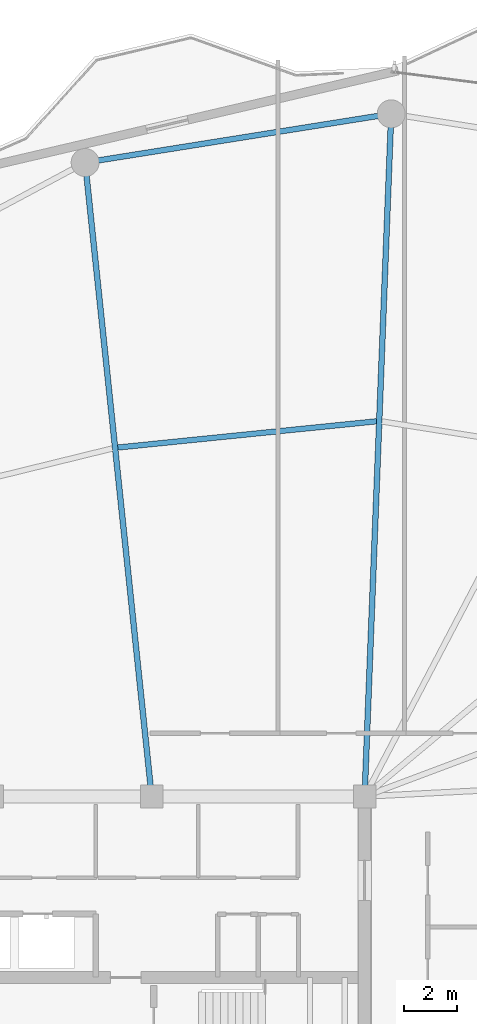
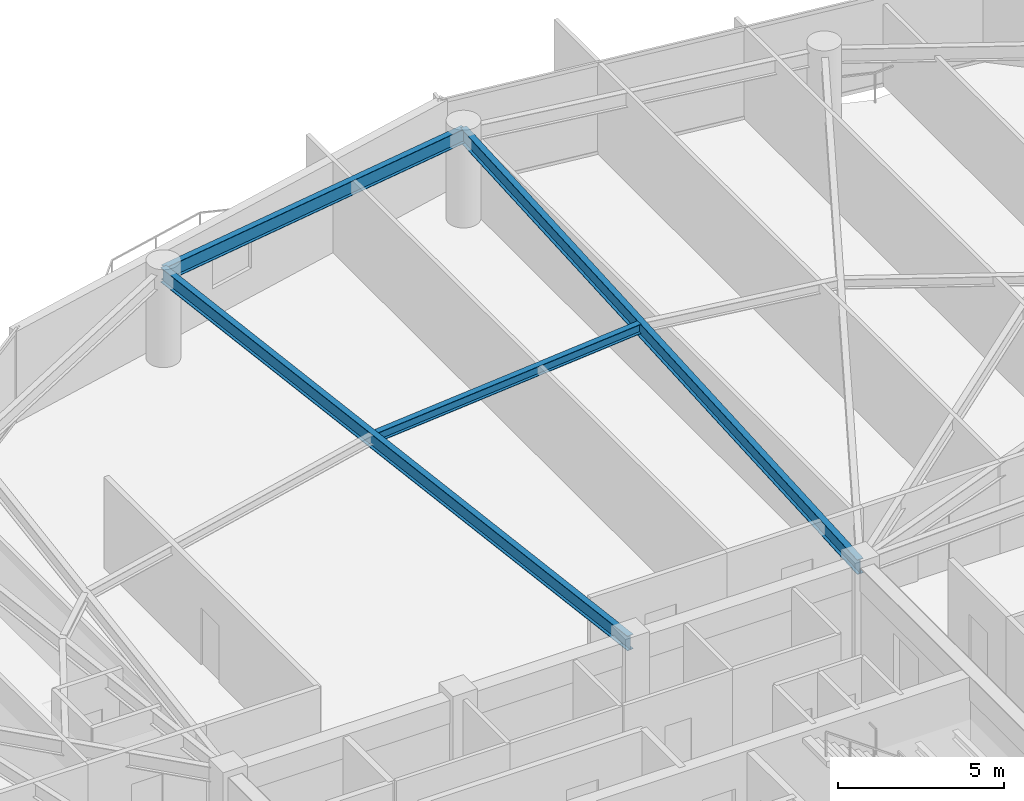
# One storey, part 19 of 31: 4 beams.
"""IFC4 building model written with IfcOpenShell, lengths in metres."""

from ifc_helpers import new_model, si_unit, direction, frame, origin, origin_2d, place, context, subcontext, project, spatial, i_section, extrude, material, material_profile, profile_set, type_object, element, save


model = new_model("IFC4")

# Units and contexts
model_context = context("Model", 3, precision=1e-05, world=origin(), true_north=direction((0.0, 1.0)))
body_context = subcontext(model_context, "Body", "Model", "MODEL_VIEW")
ifc_project = project(units=[si_unit("LENGTHUNIT", "METRE"), si_unit("AREAUNIT", "SQUARE_METRE"), si_unit("VOLUMEUNIT", "CUBIC_METRE"), si_unit("PLANEANGLEUNIT", "RADIAN"), si_unit("MASSUNIT", "GRAM", prefix="KILO")], contexts=[model_context])

# Site, building, storey
site_placement = place(None, origin())
site = spatial("IfcSite", under=ifc_project, at=site_placement, CompositionType="ELEMENT")
building_placement = place(site_placement, origin())
building = spatial("IfcBuilding", under=site, at=building_placement, Name="Kazevale Care Tower and Concert Hall", CompositionType="ELEMENT")
storey_placement = place(building_placement, frame((0.0, 0.0, 206.39990234375)))
storey = spatial("IfcBuildingStorey", under=building, at=storey_placement, Name="L54", CompositionType="ELEMENT", Elevation=206.39990234375)

# Beams
ifc_material = material(Name="Steel ASTM A572 Gr 50", Category="steel")
ifc_material_profile_1 = material_profile(ifc_material, i_section(OverallWidth=0.2119140625, OverallDepth=0.5439453125, WebThickness=0.01318359375, FlangeThickness=0.021240234375, at=origin_2d()), Name="W530x123")
ifc_profile_set_1 = profile_set([ifc_material_profile_1], Name="Steel ASTM A572 Gr 50")
beam_type_1 = type_object("IfcBeamType", Name="Radial Floor Girder W530x123", PredefinedType="BEAM", material=ifc_profile_set_1)
beam_1_placement = place(storey_placement, frame((44.0, 36.39990234375, 3.088134765625), z_axis=(0.03895653799, 0.999240905962, 0.0), x_axis=(-0.999240905962, 0.03895653799, 0.0)))
element("IfcBeam", 1, at=beam_1_placement, inside=storey, type_object=beam_type_1, Name="beam:L54:rad:05", PredefinedType="BEAM", context=body_context, shape_type="SweptSolid", body=[
    extrude(i_section(OverallWidth=0.2119140625, OverallDepth=0.5439453125, WebThickness=0.01318359375, FlangeThickness=0.021240234375, at=origin_2d()), origin(), (0.0, 0.0, 1.0), 25.669677734375),
])
beam_2_placement = place(storey_placement, frame((36.0, 36.39990234375, 3.088134765625), z_axis=(-0.104380207012, 0.994537466556, 0.0), x_axis=(-0.994537466556, -0.104380207012, 0.0)))
element("IfcBeam", 2, at=beam_2_placement, inside=storey, type_object=beam_type_1, Name="beam:L54:rad:06", PredefinedType="BEAM", context=body_context, shape_type="SweptSolid", body=[
    extrude(i_section(OverallWidth=0.2119140625, OverallDepth=0.5439453125, WebThickness=0.01318359375, FlangeThickness=0.021240234375, at=origin_2d()), origin(), (0.0, 0.0, 1.0), 23.950927734375),
])
ifc_material_profile_2 = material_profile(ifc_material, i_section(OverallWidth=0.205078125, OverallDepth=0.35400390625, WebThickness=0.009521484375, FlangeThickness=0.016845703125, at=origin_2d()), Name="W360x79")
ifc_profile_set_2 = profile_set([ifc_material_profile_2], Name="Steel ASTM A572 Gr 50")
beam_type_2 = type_object("IfcBeamType", Name="Secondary Floor Joist W360x79", PredefinedType="JOIST", material=ifc_profile_set_2)
beam_3_placement = place(storey_placement, frame((44.446044921875, 50.4970703125, 3.18310546875), z_axis=(-0.994900388447, -0.10086236696, 0.0), x_axis=(0.10086236696, -0.994900388447, 0.0)))
element("IfcBeam", 3, at=beam_3_placement, inside=storey, type_object=beam_type_2, Name="beam:L54:joist:05", PredefinedType="JOIST", context=body_context, shape_type="SweptSolid", body=[
    extrude(i_section(OverallWidth=0.205078125, OverallDepth=0.35400390625, WebThickness=0.009521484375, FlangeThickness=0.016845703125, at=origin_2d()), origin(), (0.0, 0.0, 1.0), 9.766845703125),
])
ifc_material_profile_3 = material_profile(ifc_material, i_section(OverallWidth=0.208984375, OverallDepth=0.532958984375, WebThickness=0.01025390625, FlangeThickness=0.015625, at=origin_2d()), Name="W530x92")
ifc_profile_set_3 = profile_set([ifc_material_profile_3], Name="Steel ASTM A572 Gr 50")
beam_type_3 = type_object("IfcBeamType", Name="Upper Ring Beam W530x92", PredefinedType="BEAM", material=ifc_profile_set_3)
beam_4_placement = place(storey_placement, frame((45.0, 62.050048828125, 3.093505859375), z_axis=(-0.987573207584, -0.15715966296, 0.0), x_axis=(0.15715966296, -0.987573207584, 0.0)))
element("IfcBeam", 4, at=beam_4_placement, inside=storey, type_object=beam_type_3, Name="beam:L54:ring:05", PredefinedType="BEAM", context=body_context, shape_type="SweptSolid", body=[
    extrude(i_section(OverallWidth=0.208984375, OverallDepth=0.532958984375, WebThickness=0.01025390625, FlangeThickness=0.015625, at=origin_2d()), origin(), (0.0, 0.0, 1.0), 11.644775390625),
])

save(model, "model.ifc")
